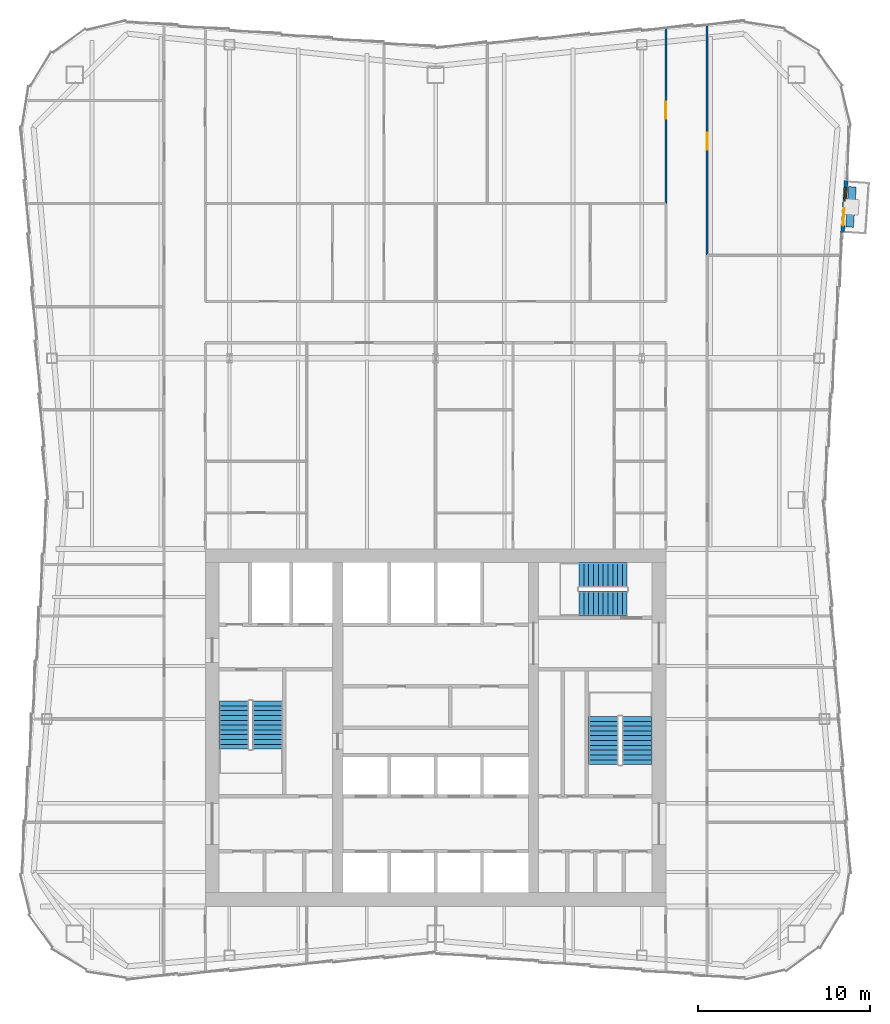
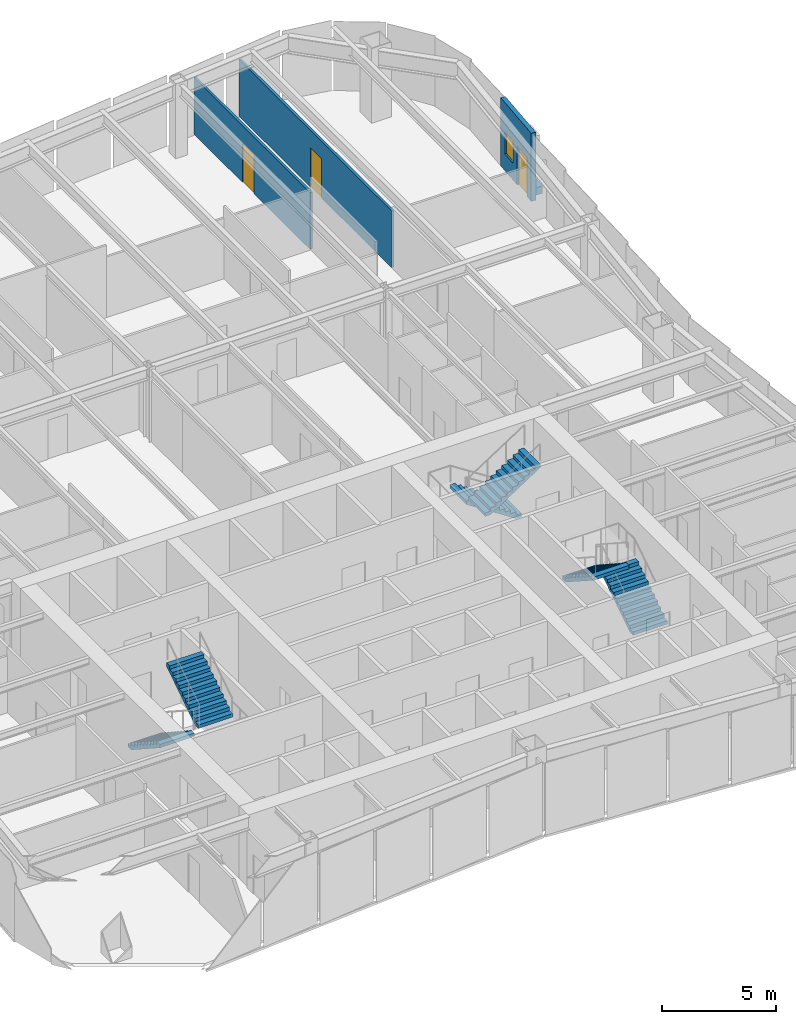
# One storey, part 10 of 12: 6 stair flights, 4 walls, 3 doors, 1 window, 4 openings, 3 elements without a shape of their own.
"""IFC4 building model written with IfcOpenShell, lengths in metres."""

from ifc_helpers import new_model, si_unit, direction, frame, frame_2d, origin, place, context, subcontext, project, spatial, polyline, rectangle, outline, extrude, material, layer, layer_set, type_object, element, fill, aggregate, save


model = new_model("IFC4")

# Units and contexts
model_context = context("Model", 3, precision=1e-05, world=origin(), true_north=direction((0.0, 1.0)))
body_context = subcontext(model_context, "Body", "Model", "MODEL_VIEW")
ifc_project = project(units=[si_unit("LENGTHUNIT", "METRE"), si_unit("AREAUNIT", "SQUARE_METRE"), si_unit("VOLUMEUNIT", "CUBIC_METRE"), si_unit("PLANEANGLEUNIT", "RADIAN"), si_unit("MASSUNIT", "GRAM", prefix="KILO")], contexts=[model_context])

# Site, building, storey
site_placement = place(None, origin())
site = spatial("IfcSite", under=ifc_project, at=site_placement, CompositionType="ELEMENT")
building_placement = place(site_placement, origin())
building = spatial("IfcBuilding", under=site, at=building_placement, Name="Verdant Reach Tower", CompositionType="ELEMENT")
storey_placement = place(building_placement, frame((0.0, 0.0, 266.0)))
storey = spatial("IfcBuildingStorey", under=building, at=storey_placement, Name="L61", CompositionType="ELEMENT", Elevation=266.0)

# Wall, openings, door, window
ifc_material_1 = material(Name="Insulated bronze aluminium panel wall", Category="aluminium")
ifc_layer_1 = layer(ifc_material_1, 0.219970703125)
ifc_layer_set_1 = layer_set([ifc_layer_1], Name="EN-INFILL WALL")
wall_type_1 = type_object("IfcWallType", Name="EN-INFILL WALL", PredefinedType="SOLIDWALL", material=ifc_layer_set_1)
wall_1_placement = place(storey_placement, frame((23.685546875, 56.81201171875, 0.0), z_axis=(0.0, 0.0, 1.0), x_axis=(0.06875808698, 0.99763336225, 0.0)))
wall_1 = element("IfcWall", 1, at=wall_1_placement, inside=storey, type_object=wall_type_1, Name="External infill wall, balcony bay 1, L61", PredefinedType="SOLIDWALL", context=body_context, shape_type="SweptSolid", body=[
    extrude(rectangle(XDim=3.046630859375, YDim=0.22412109375, at=frame_2d((1.5234375, 0.0))), origin(), (0.0, 0.0, 1.0), 3.64990234375),
])
opening_1_placement = place(wall_1_placement, frame((0.41552734375, 0.0, 0.0)))
opening_1 = element("IfcOpeningElement", 2, at=opening_1_placement, cuts=wall_1, Name="Opening BD1", PredefinedType="OPENING", context=body_context, shape_type="SweptSolid", body=[
    extrude(rectangle(XDim=1.0, YDim=2.10009765625, at=frame_2d((0.5, 1.050048828125))), frame((0.0, 0.1220703125, 0.0), z_axis=(0.0, -1.0, 0.0), x_axis=(1.0, 0.0, 0.0)), (0.0, 0.0, 1.0), 0.244140625),
])
opening_2_placement = place(wall_1_placement, frame((1.8310546875, 0.0, 0.89990234375)))
opening_2 = element("IfcOpeningElement", 3, at=opening_2_placement, cuts=wall_1, Name="Opening BW1", PredefinedType="OPENING", context=body_context, shape_type="SweptSolid", body=[
    extrude(rectangle(XDim=0.800048828125, YDim=1.199951171875, at=frame_2d((0.39990234375, 0.60009765625))), frame((0.0, 0.1220703125, 0.0), z_axis=(0.0, -1.0, 0.0), x_axis=(1.0, 0.0, 0.0)), (0.0, 0.0, 1.0), 0.244140625),
])
ifc_material_2 = material(Name="Aluminium framed glazed door", Category="aluminium")
door_type_1 = type_object("IfcDoorType", Name="EN-DOOR BALCONY", OperationType="NOTDEFINED", PredefinedType="DOOR", material=ifc_material_2)
door_1_placement = place(opening_1_placement, origin())
door_1 = element("IfcDoor", 4, at=door_1_placement, inside=storey, type_object=door_type_1, Name="Balcony door 1, L61", OperationType="SINGLE_SWING_LEFT", OverallHeight=2.10009765625, OverallWidth=1.0, PredefinedType="DOOR", context=body_context, shape_type="SweptSolid", body=[
    extrude(rectangle(XDim=1.0, YDim=2.10009765625, at=frame_2d((0.5, 1.050048828125))), frame((0.0, 0.02490234375, 0.0), z_axis=(0.0, -1.0, 0.0), x_axis=(1.0, 0.0, 0.0)), (0.0, 0.0, 1.0), 0.050048828125),
])
fill(opening_1, door_1)
ifc_material_3 = material(Name="Aluminium framed glazing", Category="aluminium")
window_type = type_object("IfcWindowType", Name="EN-WINDOW BALCONY", PartitioningType="SINGLE_PANEL", PredefinedType="WINDOW", material=ifc_material_3)
window_placement = place(opening_2_placement, origin())
window = element("IfcWindow", 5, at=window_placement, inside=storey, type_object=window_type, Name="Balcony window 1, L61", OverallHeight=1.199951171875, OverallWidth=0.800048828125, PartitioningType="SINGLE_PANEL", PredefinedType="WINDOW", context=body_context, shape_type="SweptSolid", body=[
    extrude(rectangle(XDim=0.800048828125, YDim=1.199951171875, at=frame_2d((0.39990234375, 0.60009765625))), frame((0.0, 0.030029296875, 0.0), z_axis=(0.0, -1.0, 0.0), x_axis=(1.0, 0.0, 0.0)), (0.0, 0.0, 1.0), 0.06005859375),
])
fill(opening_2, window)

# Wall
ifc_material_4 = material(Name="Precast concrete C30/37", Category="concrete")
ifc_layer_2 = layer(ifc_material_4, 0.449951171875)
ifc_layer_set_2 = layer_set([ifc_layer_2], Name="EN-PLANTER")
wall_type_2 = type_object("IfcWallType", Name="EN-PLANTER", PredefinedType="USERDEFINED", material=ifc_layer_set_2)
wall_2_placement = place(storey_placement, frame((24.095703125, 57.134521484375, 0.0), z_axis=(0.0, 0.0, 1.0), x_axis=(0.06877709495, 0.997632052016, 0.0)))
element("IfcWall", 6, at=wall_2_placement, inside=storey, type_object=wall_type_2, Name="Balcony planter 1, L61", ObjectType="PLANTER", PredefinedType="USERDEFINED", context=body_context, shape_type="SweptSolid", body=[
    extrude(rectangle(XDim=2.346435546875, YDim=0.449951171875, at=frame_2d((1.17333984375, 0.0))), origin(), (0.0, 0.0, 1.0), 0.39990234375),
])

# Wall, opening, door
ifc_material_5 = material(Name="Gypsum board on steel studs, fire rated", Category="steel")
ifc_layer_3 = layer(ifc_material_5, 0.125)
ifc_layer_set_3 = layer_set([ifc_layer_3], Name="FL-W2 Corridor wall 125")
wall_type_3 = type_object("IfcWallType", Name="FL-W2 Corridor wall 125", PredefinedType="PARTITIONING", material=ifc_layer_set_3)
wall_3_placement = place(storey_placement, frame((15.800048828125, 68.896728515625, 0.0), z_axis=(0.0, 0.0, 1.0), x_axis=(0.0, -1.0, 0.0)))
wall_3 = element("IfcWall", 7, at=wall_3_placement, inside=storey, type_object=wall_type_3, Name="Partition 61.17", PredefinedType="PARTITIONING", context=body_context, shape_type="SweptSolid", body=[
    extrude(rectangle(XDim=13.396728515625, YDim=0.125, at=frame_2d((6.6982421875, 0.0))), origin(), (0.0, 0.0, 1.0), 3.0400390625),
])
opening_3_placement = place(wall_3_placement, frame((6.263427734375, 0.0, 0.0)))
opening_3 = element("IfcOpeningElement", 8, at=opening_3_placement, cuts=wall_3, Name="Opening D2", PredefinedType="OPENING", context=body_context, shape_type="SweptSolid", body=[
    extrude(rectangle(XDim=1.0, YDim=2.10009765625, at=frame_2d((0.5, 1.050048828125))), frame((0.0, 0.072509765625, 0.0), z_axis=(0.0, -1.0, 0.0), x_axis=(1.0, 0.0, 0.0)), (0.0, 0.0, 1.0), 0.14501953125),
])
ifc_material_6 = material(Name="Timber door leaf, fire rated", Category="wood")
door_type_2 = type_object("IfcDoorType", Name="FL-D2 Entrance door 1000x2100 FD30", OperationType="NOTDEFINED", PredefinedType="DOOR", material=ifc_material_6)
door_2_placement = place(opening_3_placement, origin())
door_2 = element("IfcDoor", 9, at=door_2_placement, inside=storey, type_object=door_type_2, Name="Door 61-017", OperationType="SINGLE_SWING_RIGHT", OverallHeight=2.10009765625, OverallWidth=1.0, PredefinedType="DOOR", context=body_context, shape_type="SweptSolid", body=[
    extrude(rectangle(XDim=1.0, YDim=2.10009765625, at=frame_2d((0.5, 1.050048828125))), frame((0.0, 0.02490234375, 0.0), z_axis=(0.0, -1.0, 0.0), x_axis=(1.0, 0.0, 0.0)), (0.0, 0.0, 1.0), 0.050048828125),
])
fill(opening_3, door_2)

wall_4_placement = place(storey_placement, frame((13.39990234375, 58.5, 0.0), z_axis=(0.0, 0.0, 1.0), x_axis=(0.0, 1.0, 0.0)))
wall_4 = element("IfcWall", 10, at=wall_4_placement, inside=storey, type_object=wall_type_3, Name="Partition 61.40", PredefinedType="PARTITIONING", context=body_context, shape_type="SweptSolid", body=[
    extrude(rectangle(XDim=10.19677734375, YDim=0.125, at=frame_2d((5.098388671875, 0.0))), origin(), (0.0, 0.0, 1.0), 3.0400390625),
])
opening_4_placement = place(wall_4_placement, frame((4.93310546875, 0.0, 0.0)))
opening_4 = element("IfcOpeningElement", 11, at=opening_4_placement, cuts=wall_4, Name="Opening D2", PredefinedType="OPENING", context=body_context, shape_type="SweptSolid", body=[
    extrude(rectangle(XDim=1.0, YDim=2.10009765625, at=frame_2d((0.5, 1.050048828125))), frame((0.0, 0.072509765625, 0.0), z_axis=(0.0, -1.0, 0.0), x_axis=(1.0, 0.0, 0.0)), (0.0, 0.0, 1.0), 0.14501953125),
])
door_3_placement = place(opening_4_placement, origin())
door_3 = element("IfcDoor", 12, at=door_3_placement, inside=storey, type_object=door_type_2, Name="Door 61-030", OperationType="SINGLE_SWING_RIGHT", OverallHeight=2.10009765625, OverallWidth=1.0, PredefinedType="DOOR", context=body_context, shape_type="SweptSolid", body=[
    extrude(rectangle(XDim=1.0, YDim=2.10009765625, at=frame_2d((0.5, 1.050048828125))), frame((0.0, 0.02490234375, 0.0), z_axis=(0.0, -1.0, 0.0), x_axis=(1.0, 0.0, 0.0)), (0.0, 0.0, 1.0), 0.050048828125),
])
fill(opening_4, door_3)

# Stair, stair flights
ifc_material_7 = material(Name="Concrete C40/50", Category="concrete")
stair_type = type_object("IfcStairType", Name="CO-STAIR", PredefinedType="HALF_TURN_STAIR", material=ifc_material_7)
stair_1_placement = place(storey_placement, origin())
stair_1 = element("IfcStair", 13, at=stair_1_placement, inside=storey, type_object=stair_type, Name="L61 Exit stair 1", PredefinedType="HALF_TURN_STAIR")
stair_flight_type = type_object("IfcStairFlightType", Name="CO-STAIR-FLIGHT", PredefinedType="STRAIGHT", material=ifc_material_7)
stair_flight_1_placement = place(storey_placement, frame((-11.72509765625, 29.550048828125, 0.0), z_axis=(0.0, 0.0, 1.0), x_axis=(0.0, -1.0, 0.0)))
stair_flight_1 = element("IfcStairFlight", 14, at=stair_flight_1_placement, type_object=stair_flight_type, Name="ST-1 flight 1", NumberOfRisers=11, NumberOfTreads=10, PredefinedType="STRAIGHT", RiserHeight=0.181818182, TreadLength=0.28, context=body_context, shape_type="SweptSolid", body=[
    extrude(outline(polyline([(0.0, 0.0), (0.0, 0.181884765625), (0.280029296875, 0.181884765625), (0.280029296875, 0.363525390625), (0.56005859375, 0.363525390625), (0.56005859375, 0.54541015625), (0.840087890625, 0.54541015625), (0.840087890625, 0.727294921875), (1.1201171875, 0.727294921875), (1.1201171875, 0.9091796875), (1.39990234375, 0.9091796875), (1.39990234375, 1.0908203125), (1.679931640625, 1.0908203125), (1.679931640625, 1.272705078125), (1.9599609375, 1.272705078125), (1.9599609375, 1.45458984375), (2.239990234375, 1.45458984375), (2.239990234375, 1.636474609375), (2.52001953125, 1.636474609375), (2.52001953125, 1.818115234375), (2.800048828125, 1.818115234375), (2.800048828125, 2.0), (2.800048828125, 1.639404296875), (0.275146484375, 0.0), (0.0, 0.0)])), frame((0.0, 0.875, 0.0), z_axis=(0.0, -1.0, 0.0), x_axis=(1.0, 0.0, 0.0)), (0.0, 0.0, 1.0), 1.75),
])
stair_flight_2_placement = place(storey_placement, frame((-9.77490234375, 26.75, 2.0), z_axis=(0.0, 0.0, 1.0), x_axis=(0.0, 1.0, 0.0)))
stair_flight_2 = element("IfcStairFlight", 15, at=stair_flight_2_placement, type_object=stair_flight_type, Name="ST-1 flight 2", NumberOfRisers=11, NumberOfTreads=10, PredefinedType="STRAIGHT", RiserHeight=0.181818182, TreadLength=0.28, context=body_context, shape_type="SweptSolid", body=[
    extrude(outline(polyline([(0.0, 0.0), (0.0, 0.181884765625), (0.280029296875, 0.181884765625), (0.280029296875, 0.363525390625), (0.56005859375, 0.363525390625), (0.56005859375, 0.54541015625), (0.840087890625, 0.54541015625), (0.840087890625, 0.727294921875), (1.1201171875, 0.727294921875), (1.1201171875, 0.9091796875), (1.39990234375, 0.9091796875), (1.39990234375, 1.0908203125), (1.679931640625, 1.0908203125), (1.679931640625, 1.272705078125), (1.9599609375, 1.272705078125), (1.9599609375, 1.45458984375), (2.239990234375, 1.45458984375), (2.239990234375, 1.636474609375), (2.52001953125, 1.636474609375), (2.52001953125, 1.818115234375), (2.800048828125, 1.818115234375), (2.800048828125, 2.0), (2.800048828125, 1.639404296875), (0.275146484375, 0.0), (0.0, 0.0)])), frame((0.0, 0.875, 0.0), z_axis=(0.0, -1.0, 0.0), x_axis=(1.0, 0.0, 0.0)), (0.0, 0.0, 1.0), 1.75),
])
aggregate(stair_1, [stair_flight_1, stair_flight_2])

stair_2_placement = place(storey_placement, origin())
stair_2 = element("IfcStair", 16, at=stair_2_placement, inside=storey, type_object=stair_type, Name="L61 Exit stair 2", PredefinedType="HALF_TURN_STAIR")
stair_flight_3_placement = place(storey_placement, frame((11.72509765625, 25.85009765625, 0.0), z_axis=(0.0, 0.0, 1.0), x_axis=(0.0, 1.0, 0.0)))
stair_flight_3 = element("IfcStairFlight", 17, at=stair_flight_3_placement, type_object=stair_flight_type, Name="ST-2 flight 1", NumberOfRisers=11, NumberOfTreads=10, PredefinedType="STRAIGHT", RiserHeight=0.181818182, TreadLength=0.28, context=body_context, shape_type="SweptSolid", body=[
    extrude(outline(polyline([(0.0, 0.0), (0.0, 0.181884765625), (0.280029296875, 0.181884765625), (0.280029296875, 0.363525390625), (0.56005859375, 0.363525390625), (0.56005859375, 0.54541015625), (0.840087890625, 0.54541015625), (0.840087890625, 0.727294921875), (1.1201171875, 0.727294921875), (1.1201171875, 0.9091796875), (1.39990234375, 0.9091796875), (1.39990234375, 1.0908203125), (1.679931640625, 1.0908203125), (1.679931640625, 1.272705078125), (1.9599609375, 1.272705078125), (1.9599609375, 1.45458984375), (2.239990234375, 1.45458984375), (2.239990234375, 1.636474609375), (2.52001953125, 1.636474609375), (2.52001953125, 1.818115234375), (2.800048828125, 1.818115234375), (2.800048828125, 2.0), (2.800048828125, 1.639404296875), (0.275146484375, 0.0), (0.0, 0.0)])), frame((0.0, 0.875, 0.0), z_axis=(0.0, -1.0, 0.0), x_axis=(1.0, 0.0, 0.0)), (0.0, 0.0, 1.0), 1.75),
])
stair_flight_4_placement = place(storey_placement, frame((9.77490234375, 28.64990234375, 2.0), z_axis=(0.0, 0.0, 1.0), x_axis=(0.0, -1.0, 0.0)))
stair_flight_4 = element("IfcStairFlight", 18, at=stair_flight_4_placement, type_object=stair_flight_type, Name="ST-2 flight 2", NumberOfRisers=11, NumberOfTreads=10, PredefinedType="STRAIGHT", RiserHeight=0.181818182, TreadLength=0.28, context=body_context, shape_type="SweptSolid", body=[
    extrude(outline(polyline([(0.0, 0.0), (0.0, 0.181884765625), (0.280029296875, 0.181884765625), (0.280029296875, 0.363525390625), (0.56005859375, 0.363525390625), (0.56005859375, 0.54541015625), (0.840087890625, 0.54541015625), (0.840087890625, 0.727294921875), (1.1201171875, 0.727294921875), (1.1201171875, 0.9091796875), (1.39990234375, 0.9091796875), (1.39990234375, 1.0908203125), (1.679931640625, 1.0908203125), (1.679931640625, 1.272705078125), (1.9599609375, 1.272705078125), (1.9599609375, 1.45458984375), (2.239990234375, 1.45458984375), (2.239990234375, 1.636474609375), (2.52001953125, 1.636474609375), (2.52001953125, 1.818115234375), (2.800048828125, 1.818115234375), (2.800048828125, 2.0), (2.800048828125, 1.639404296875), (0.275146484375, 0.0), (0.0, 0.0)])), frame((0.0, 0.875, 0.0), z_axis=(0.0, -1.0, 0.0), x_axis=(1.0, 0.0, 0.0)), (0.0, 0.0, 1.0), 1.75),
])
aggregate(stair_2, [stair_flight_3, stair_flight_4])

stair_3_placement = place(storey_placement, origin())
stair_3 = element("IfcStair", 19, at=stair_3_placement, inside=storey, type_object=stair_type, Name="L61 Exit stair 3", PredefinedType="HALF_TURN_STAIR")
stair_flight_5_placement = place(storey_placement, frame((11.14990234375, 36.875, 0.0), z_axis=(0.0, 0.0, 1.0), x_axis=(-1.0, 0.0, 0.0)))
stair_flight_5 = element("IfcStairFlight", 20, at=stair_flight_5_placement, type_object=stair_flight_type, Name="ST-3 flight 1", NumberOfRisers=11, NumberOfTreads=10, PredefinedType="STRAIGHT", RiserHeight=0.181818182, TreadLength=0.28, context=body_context, shape_type="SweptSolid", body=[
    extrude(outline(polyline([(0.0, 0.0), (0.0, 0.181884765625), (0.280029296875, 0.181884765625), (0.280029296875, 0.363525390625), (0.56005859375, 0.363525390625), (0.56005859375, 0.54541015625), (0.840087890625, 0.54541015625), (0.840087890625, 0.727294921875), (1.1201171875, 0.727294921875), (1.1201171875, 0.9091796875), (1.39990234375, 0.9091796875), (1.39990234375, 1.0908203125), (1.679931640625, 1.0908203125), (1.679931640625, 1.272705078125), (1.9599609375, 1.272705078125), (1.9599609375, 1.45458984375), (2.239990234375, 1.45458984375), (2.239990234375, 1.636474609375), (2.52001953125, 1.636474609375), (2.52001953125, 1.818115234375), (2.800048828125, 1.818115234375), (2.800048828125, 2.0), (2.800048828125, 1.639404296875), (0.275146484375, 0.0), (0.0, 0.0)])), frame((0.0, 0.72509765625, 0.0), z_axis=(0.0, -1.0, 0.0), x_axis=(1.0, 0.0, 0.0)), (0.0, 0.0, 1.0), 1.449951171875),
])
stair_flight_6_placement = place(storey_placement, frame((8.35009765625, 35.22509765625, 2.0), z_axis=(0.0, 0.0, 1.0), x_axis=(1.0, 0.0, 0.0)))
stair_flight_6 = element("IfcStairFlight", 21, at=stair_flight_6_placement, type_object=stair_flight_type, Name="ST-3 flight 2", NumberOfRisers=11, NumberOfTreads=10, PredefinedType="STRAIGHT", RiserHeight=0.181818182, TreadLength=0.28, context=body_context, shape_type="SweptSolid", body=[
    extrude(outline(polyline([(0.0, 0.0), (0.0, 0.181884765625), (0.280029296875, 0.181884765625), (0.280029296875, 0.363525390625), (0.56005859375, 0.363525390625), (0.56005859375, 0.54541015625), (0.840087890625, 0.54541015625), (0.840087890625, 0.727294921875), (1.1201171875, 0.727294921875), (1.1201171875, 0.9091796875), (1.39990234375, 0.9091796875), (1.39990234375, 1.0908203125), (1.679931640625, 1.0908203125), (1.679931640625, 1.272705078125), (1.9599609375, 1.272705078125), (1.9599609375, 1.45458984375), (2.239990234375, 1.45458984375), (2.239990234375, 1.636474609375), (2.52001953125, 1.636474609375), (2.52001953125, 1.818115234375), (2.800048828125, 1.818115234375), (2.800048828125, 2.0), (2.800048828125, 1.639404296875), (0.275146484375, 0.0), (0.0, 0.0)])), frame((0.0, 0.72509765625, 0.0), z_axis=(0.0, -1.0, 0.0), x_axis=(1.0, 0.0, 0.0)), (0.0, 0.0, 1.0), 1.449951171875),
])
aggregate(stair_3, [stair_flight_5, stair_flight_6])

save(model, "model.ifc")
